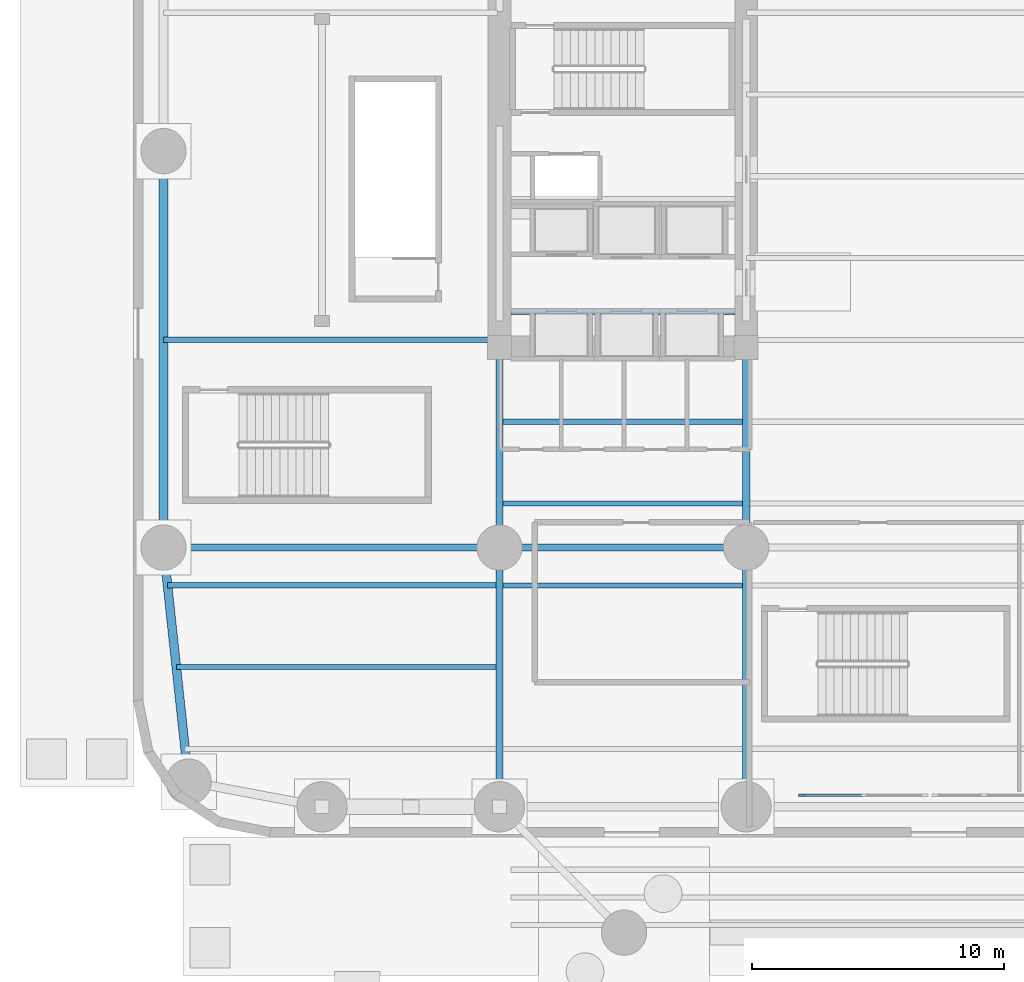
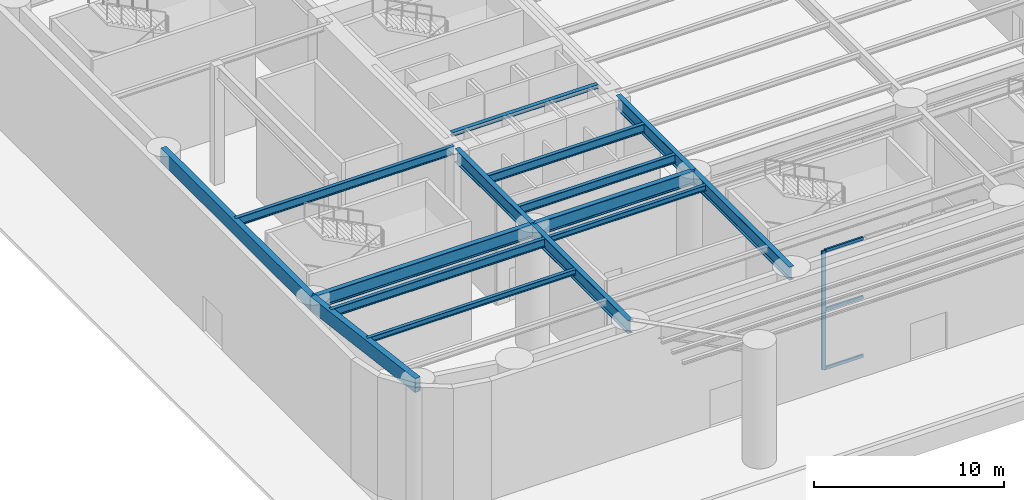
# One storey, part 2 of 25: 15 beams, 4 members, 1 element without a shape of its own.
"""IFC4 building model written with IfcOpenShell, lengths in metres."""

from ifc_helpers import new_model, si_unit, direction, frame, origin, origin_2d, place, context, subcontext, project, spatial, rectangle, hollow_rectangle, i_section, extrude, material, material_profile, profile_set, type_object, element, aggregate, save


model = new_model("IFC4")

# Units and contexts
model_context = context("Model", 3, precision=1e-05, world=origin(), true_north=direction((0.0, 1.0)))
body_context = subcontext(model_context, "Body", "Model", "MODEL_VIEW")
ifc_project = project(units=[si_unit("LENGTHUNIT", "METRE"), si_unit("AREAUNIT", "SQUARE_METRE"), si_unit("VOLUMEUNIT", "CUBIC_METRE"), si_unit("PLANEANGLEUNIT", "RADIAN"), si_unit("MASSUNIT", "GRAM", prefix="KILO")], contexts=[model_context])

# Site, building, storey
site_placement = place(None, origin())
site = spatial("IfcSite", under=ifc_project, at=site_placement, CompositionType="ELEMENT")
building_placement = place(site_placement, origin())
building = spatial("IfcBuilding", under=site, at=building_placement, Name="Kolvaren Arena Tower", CompositionType="ELEMENT")
storey_placement = place(building_placement, origin())
storey = spatial("IfcBuildingStorey", under=building, at=storey_placement, Name="L00", CompositionType="ELEMENT", Elevation=0.0)

# Beams
ifc_material_1 = material(Name="Steel CSA G40.21 350W", Category="steel")
ifc_material_profile_1 = material_profile(ifc_material_1, i_section(OverallWidth=0.2119140625, OverallDepth=0.54296875, WebThickness=0.01318359375, FlangeThickness=0.0244140625, FilletRadius=0.013916015625, at=origin_2d()), Name="W530x150")
ifc_profile_set_1 = profile_set([ifc_material_profile_1], Name="Steel CSA G40.21 350W")
beam_type_1 = type_object("IfcBeamType", Name="BEAM-F1", PredefinedType="BEAM", material=ifc_profile_set_1)
beam_1_placement = place(storey_placement, frame((1.361328125, 10.0, 7.37841796875), z_axis=(1.0, 0.0, 0.0), x_axis=(0.0, 1.0, 0.0)))
element("IfcBeam", 1, at=beam_1_placement, inside=storey, type_object=beam_type_1, Name="Composite Floor Beam (L00)", PredefinedType="BEAM", context=body_context, shape_type="SweptSolid", body=[
    extrude(i_section(OverallWidth=0.2119140625, OverallDepth=0.54296875, WebThickness=0.01318359375, FlangeThickness=0.0244140625, FilletRadius=0.013916015625, at=origin_2d()), origin(), (0.0, 0.0, 1.0), 13.042724609375),
])
for number, where, z_axis, x_axis, name in (
    (2, (14.696044921875, 13.25, 7.37841796875), (1.0, 0.0, 0.0), (0.0, 1.0, 0.0), "Composite Floor Beam (L00)"),
    (3, (14.696044921875, 16.5, 7.37841796875), (1.0, 0.0, 0.0), (0.0, 1.0, 0.0), "Composite Floor Beam (L00)"),
):
    element("IfcBeam", number, at=place(storey_placement, frame(where, z_axis=z_axis, x_axis=x_axis)), inside=storey, type_object=beam_type_1, Name=name, PredefinedType="BEAM", context=body_context, shape_type="SweptSolid", body=[
        extrude(i_section(OverallWidth=0.2119140625, OverallDepth=0.54296875, WebThickness=0.01318359375, FlangeThickness=0.0244140625, FilletRadius=0.013916015625, at=origin_2d()), origin(), (0.0, 0.0, 1.0), 9.508056640625),
    ])
beam_2_placement = place(storey_placement, frame((1.199951171875, 19.75, 7.37841796875), z_axis=(1.0, 0.0, 0.0), x_axis=(0.0, 1.0, 0.0)))
element("IfcBeam", 4, at=beam_2_placement, inside=storey, type_object=beam_type_1, Name="Composite Floor Beam (L00)", PredefinedType="BEAM", context=body_context, shape_type="SweptSolid", body=[
    extrude(i_section(OverallWidth=0.2119140625, OverallDepth=0.54296875, WebThickness=0.01318359375, FlangeThickness=0.0244140625, FilletRadius=0.013916015625, at=origin_2d()), origin(), (0.0, 0.0, 1.0), 13.330078125),
])

# Curtain wall, members
ifc_material_2 = material(Name="Anodised aluminium unitised curtain wall", Category="aluminium")
curtain_wall_type = type_object("IfcCurtainWallType", Name="CW-SYS-01", PredefinedType="USERDEFINED", material=ifc_material_2)
curtain_wall_placement = place(storey_placement, origin())
curtain_wall = element("IfcCurtainWall", 5, at=curtain_wall_placement, inside=storey, type_object=curtain_wall_type, Name="Ground Concourse Unitised Curtain Wall (L00)", ObjectType="UNITISED CURTAIN WALL", PredefinedType="USERDEFINED")
ifc_material_3 = material(Name="Anodised aluminium 6063-T6", Category="aluminium")
ifc_material_profile_2 = material_profile(ifc_material_3, rectangle(XDim=0.10009765625, YDim=0.239990234375, at=origin_2d()), Name="ALU-100x240")
ifc_profile_set_2 = profile_set([ifc_material_profile_2], Name="Anodised aluminium 6063-T6")
member_type_1 = type_object("IfcMemberType", Name="CWM-HVY", PredefinedType="MULLION", material=ifc_profile_set_2)
member_1_placement = place(storey_placement, frame((26.550048828125, 1.64990234375, 0.0), z_axis=(0.0, 0.0, 1.0), x_axis=(0.0, 1.0, 0.0)))
member_1 = element("IfcMember", 6, at=member_1_placement, type_object=member_type_1, Name="CW1 mullion 1", PredefinedType="MULLION", context=body_context, shape_type="SweptSolid", body=[
    extrude(rectangle(XDim=0.10009765625, YDim=0.239990234375, at=origin_2d()), origin(), (0.0, 0.0, 1.0), 7.64990234375),
])
ifc_material_profile_3 = material_profile(ifc_material_3, rectangle(XDim=0.10009765625, YDim=0.199951171875, at=origin_2d()), Name="ALU-100x200")
ifc_profile_set_3 = profile_set([ifc_material_profile_3], Name="Anodised aluminium 6063-T6")
member_type_2 = type_object("IfcMemberType", Name="CWT-HVY", PredefinedType="USERDEFINED", material=ifc_profile_set_3)
member_2_placement = place(storey_placement, frame((26.60009765625, 1.64990234375, 0.050048828125), z_axis=(1.0, 0.0, 0.0), x_axis=(0.0, 1.0, 0.0)))
member_2 = element("IfcMember", 7, at=member_2_placement, type_object=member_type_2, Name="CW1 transom 1.1", ObjectType="TRANSOM", PredefinedType="USERDEFINED", context=body_context, shape_type="SweptSolid", body=[
    extrude(rectangle(XDim=0.10009765625, YDim=0.199951171875, at=origin_2d()), origin(), (0.0, 0.0, 1.0), 2.349853515625),
])
member_3_placement = place(storey_placement, frame((26.60009765625, 1.64990234375, 3.824951171875), z_axis=(1.0, 0.0, 0.0), x_axis=(0.0, 1.0, 0.0)))
member_3 = element("IfcMember", 8, at=member_3_placement, type_object=member_type_2, Name="CW1 transom 1.2", ObjectType="TRANSOM", PredefinedType="USERDEFINED", context=body_context, shape_type="SweptSolid", body=[
    extrude(rectangle(XDim=0.10009765625, YDim=0.199951171875, at=origin_2d()), origin(), (0.0, 0.0, 1.0), 2.349853515625),
])
member_4_placement = place(storey_placement, frame((26.60009765625, 1.64990234375, 7.60009765625), z_axis=(1.0, 0.0, 0.0), x_axis=(0.0, 1.0, 0.0)))
member_4 = element("IfcMember", 9, at=member_4_placement, type_object=member_type_2, Name="CW1 transom 1.3", ObjectType="TRANSOM", PredefinedType="USERDEFINED", context=body_context, shape_type="SweptSolid", body=[
    extrude(rectangle(XDim=0.10009765625, YDim=0.199951171875, at=origin_2d()), origin(), (0.0, 0.0, 1.0), 2.349853515625),
])
aggregate(curtain_wall, [member_1, member_2, member_3, member_4])

# Beams
ifc_material_profile_4 = material_profile(ifc_material_1, i_section(OverallWidth=0.2919921875, OverallDepth=0.85498046875, WebThickness=0.02099609375, FlangeThickness=0.03564453125, FilletRadius=0.01806640625, at=origin_2d()), Name="W840x299")
ifc_profile_set_4 = profile_set([ifc_material_profile_4], Name="Steel CSA G40.21 350W")
beam_type_2 = type_object("IfcBeamType", Name="GIRD-P1", PredefinedType="BEAM", material=ifc_profile_set_4)
beam_3_placement = place(storey_placement, frame((1.199951171875, 11.5, 7.222412109375), z_axis=(1.0, 0.0, 0.0), x_axis=(0.0, 1.0, 0.0)))
element("IfcBeam", 10, at=beam_3_placement, inside=storey, type_object=beam_type_2, Name="Primary Floor Girder (L00)", PredefinedType="BEAM", context=body_context, shape_type="SweptSolid", body=[
    extrude(i_section(OverallWidth=0.2919921875, OverallDepth=0.85498046875, WebThickness=0.02099609375, FlangeThickness=0.03564453125, FilletRadius=0.01806640625, at=origin_2d()), origin(), (0.0, 0.0, 1.0), 13.35009765625),
])
beam_4_placement = place(storey_placement, frame((14.550048828125, 11.5, 7.222412109375), z_axis=(1.0, 0.0, 0.0), x_axis=(0.0, 1.0, 0.0)))
element("IfcBeam", 11, at=beam_4_placement, inside=storey, type_object=beam_type_2, Name="Primary Floor Girder (L00)", PredefinedType="BEAM", context=body_context, shape_type="SweptSolid", body=[
    extrude(i_section(OverallWidth=0.2919921875, OverallDepth=0.85498046875, WebThickness=0.02099609375, FlangeThickness=0.03564453125, FilletRadius=0.01806640625, at=origin_2d()), origin(), (0.0, 0.0, 1.0), 9.800048828125),
])
beam_5_placement = place(storey_placement, frame((14.550048828125, 1.199951171875, 7.222412109375), z_axis=(0.0, 1.0, 0.0), x_axis=(-1.0, 0.0, 0.0)))
element("IfcBeam", 12, at=beam_5_placement, inside=storey, type_object=beam_type_2, Name="Primary Floor Girder (L00)", PredefinedType="BEAM", context=body_context, shape_type="SweptSolid", body=[
    extrude(i_section(OverallWidth=0.2919921875, OverallDepth=0.85498046875, WebThickness=0.02099609375, FlangeThickness=0.03564453125, FilletRadius=0.01806640625, at=origin_2d()), origin(), (0.0, 0.0, 1.0), 10.300048828125),
])
beam_6_placement = place(storey_placement, frame((14.550048828125, 11.5, 7.222412109375), z_axis=(0.0, 1.0, 0.0), x_axis=(-1.0, 0.0, 0.0)))
element("IfcBeam", 13, at=beam_6_placement, inside=storey, type_object=beam_type_2, Name="Primary Floor Girder (L00)", PredefinedType="BEAM", context=body_context, shape_type="SweptSolid", body=[
    extrude(i_section(OverallWidth=0.2919921875, OverallDepth=0.85498046875, WebThickness=0.02099609375, FlangeThickness=0.03564453125, FilletRadius=0.01806640625, at=origin_2d()), origin(), (0.0, 0.0, 1.0), 7.949951171875),
])
beam_7_placement = place(storey_placement, frame((24.35009765625, 1.199951171875, 7.222412109375), z_axis=(0.0, 1.0, 0.0), x_axis=(-1.0, 0.0, 0.0)))
element("IfcBeam", 14, at=beam_7_placement, inside=storey, type_object=beam_type_2, Name="Primary Floor Girder (L00)", PredefinedType="BEAM", context=body_context, shape_type="SweptSolid", body=[
    extrude(i_section(OverallWidth=0.2919921875, OverallDepth=0.85498046875, WebThickness=0.02099609375, FlangeThickness=0.03564453125, FilletRadius=0.01806640625, at=origin_2d()), origin(), (0.0, 0.0, 1.0), 10.300048828125),
])
beam_8_placement = place(storey_placement, frame((24.35009765625, 11.5, 7.222412109375), z_axis=(0.0, 1.0, 0.0), x_axis=(-1.0, 0.0, 0.0)))
element("IfcBeam", 15, at=beam_8_placement, inside=storey, type_object=beam_type_2, Name="Primary Floor Girder (L00)", PredefinedType="BEAM", context=body_context, shape_type="SweptSolid", body=[
    extrude(i_section(OverallWidth=0.2919921875, OverallDepth=0.85498046875, WebThickness=0.02099609375, FlangeThickness=0.03564453125, FilletRadius=0.01806640625, at=origin_2d()), origin(), (0.0, 0.0, 1.0), 7.949951171875),
])
ifc_material_profile_5 = material_profile(ifc_material_1, i_section(OverallWidth=0.202880859375, OverallDepth=0.346923828125, WebThickness=0.0078125, FlangeThickness=0.013427734375, FilletRadius=0.010986328125, at=origin_2d()), Name="W360x64")
ifc_profile_set_5 = profile_set([ifc_material_profile_5], Name="Steel CSA G40.21 350W")
beam_type_3 = type_object("IfcBeamType", Name="JOIST-01", PredefinedType="JOIST", material=ifc_profile_set_5)
beam_9_placement = place(storey_placement, frame((1.710693359375, 6.75, 7.4765625), z_axis=(1.0, 0.0, 0.0), x_axis=(0.0, 1.0, 0.0)))
element("IfcBeam", 16, at=beam_9_placement, inside=storey, type_object=beam_type_3, Name="Composite Floor Joist (L00)", PredefinedType="JOIST", context=body_context, shape_type="SweptSolid", body=[
    extrude(i_section(OverallWidth=0.202880859375, OverallDepth=0.346923828125, WebThickness=0.0078125, FlangeThickness=0.013427734375, FilletRadius=0.010986328125, at=origin_2d()), origin(), (0.0, 0.0, 1.0), 12.693359375),
])
beam_10_placement = place(storey_placement, frame((14.696044921875, 10.0, 7.4765625), z_axis=(1.0, 0.0, 0.0), x_axis=(0.0, 1.0, 0.0)))
element("IfcBeam", 17, at=beam_10_placement, inside=storey, type_object=beam_type_3, Name="Composite Floor Joist (L00)", PredefinedType="JOIST", context=body_context, shape_type="SweptSolid", body=[
    extrude(i_section(OverallWidth=0.202880859375, OverallDepth=0.346923828125, WebThickness=0.0078125, FlangeThickness=0.013427734375, FilletRadius=0.010986328125, at=origin_2d()), origin(), (0.0, 0.0, 1.0), 9.508056640625),
])
ifc_material_profile_6 = material_profile(ifc_material_1, i_section(OverallWidth=0.25390625, OverallDepth=0.2529296875, WebThickness=0.008544921875, FlangeThickness=0.01416015625, FilletRadius=0.010009765625, at=origin_2d()), Name="W250x73")
ifc_profile_set_6 = profile_set([ifc_material_profile_6], Name="Steel CSA G40.21 350W")
beam_type_4 = type_object("IfcBeamType", Name="LINT-02", PredefinedType="LINTEL", material=ifc_profile_set_6)
beam_11_placement = place(storey_placement, frame((15.0, 20.8798828125, 7.5234375), z_axis=(1.0, 0.0, 0.0), x_axis=(0.0, 1.0, 0.0)))
element("IfcBeam", 18, at=beam_11_placement, inside=storey, type_object=beam_type_4, Name="West Lift Lobby Portal Lintel (L00)", PredefinedType="LINTEL", context=body_context, shape_type="SweptSolid", body=[
    extrude(i_section(OverallWidth=0.25390625, OverallDepth=0.2529296875, WebThickness=0.008544921875, FlangeThickness=0.01416015625, FilletRadius=0.010009765625, at=origin_2d()), origin(), (0.0, 0.0, 1.0), 8.89990234375),
])
ifc_material_4 = material(Name="Steel CSA G40.21 350WT", Category="steel")
ifc_material_profile_7 = material_profile(ifc_material_4, hollow_rectangle(XDim=0.35009765625, YDim=0.89990234375, WallThickness=0.02001953125, at=origin_2d()), Name="HSS 900x350x20")
ifc_profile_set_7 = profile_set([ifc_material_profile_7], Name="Steel CSA G40.21 350WT")
beam_type_5 = type_object("IfcBeamType", Name="SPAND-01", PredefinedType="SPANDREL", material=ifc_profile_set_7)
beam_12_placement = place(storey_placement, frame((1.199951171875, 27.25, 7.199951171875), z_axis=(0.0, -1.0, 0.0), x_axis=(1.0, 0.0, 0.0)))
element("IfcBeam", 19, at=beam_12_placement, inside=storey, type_object=beam_type_5, Name="Perimeter Spandrel Beam (L00)", PredefinedType="SPANDREL", context=body_context, shape_type="SweptSolid", body=[
    extrude(hollow_rectangle(XDim=0.35009765625, YDim=0.89990234375, WallThickness=0.02001953125, at=origin_2d()), origin(), (0.0, 0.0, 1.0), 15.75),
])
beam_13_placement = place(storey_placement, frame((1.199951171875, 11.5, 7.199951171875), z_axis=(0.106910051219, -0.994268696555, 0.0), x_axis=(0.994268696555, 0.106910051219, 0.0)))
element("IfcBeam", 20, at=beam_13_placement, inside=storey, type_object=beam_type_5, Name="Perimeter Spandrel Beam (L00)", PredefinedType="SPANDREL", context=body_context, shape_type="SweptSolid", body=[
    extrude(hollow_rectangle(XDim=0.35009765625, YDim=0.89990234375, WallThickness=0.02001953125, at=origin_2d()), origin(), (0.0, 0.0, 1.0), 9.353759765625),
])

save(model, "model.ifc")
